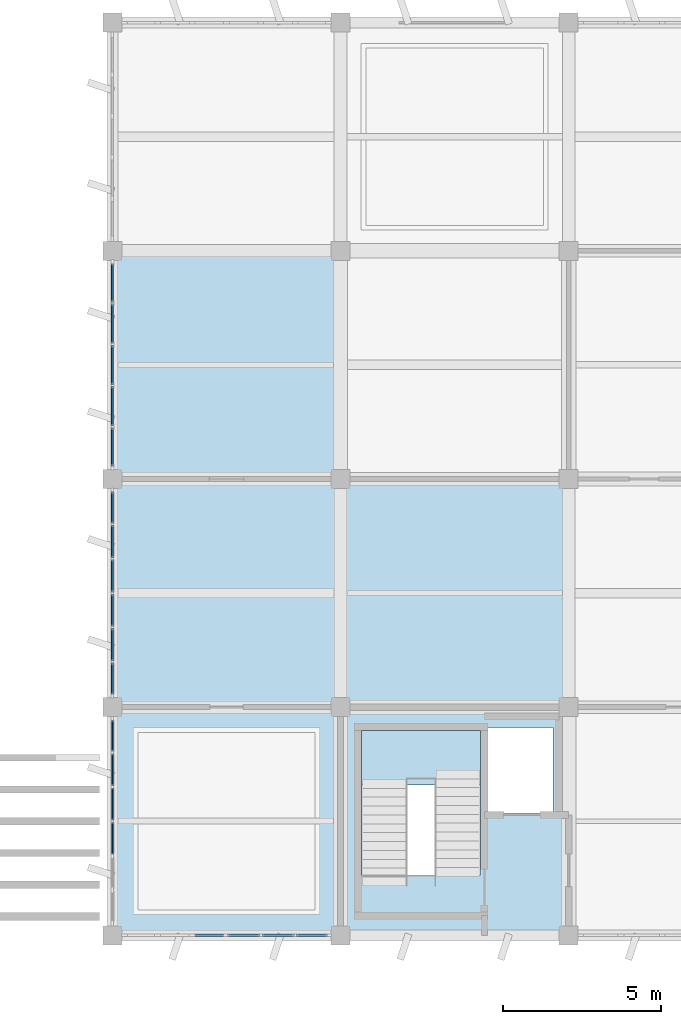
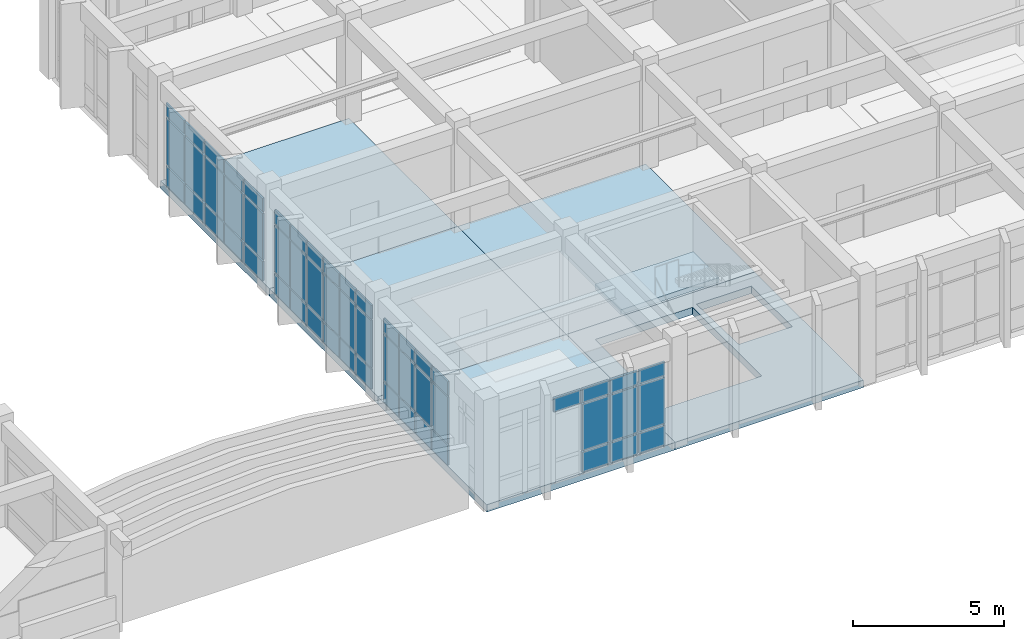
# One storey, part 42 of 81: 55 plates, 6 slabs, 5 elements without a shape of their own.
"""IFC4 building model written with IfcOpenShell, lengths in metres."""

from ifc_helpers import new_model, si_unit, direction, frame, origin, origin_2d, place, context, subcontext, project, spatial, polyline, rectangle, outline, extrude, material, layer, layer_set, type_object, element, aggregate, save


model = new_model("IFC4")

# Units and contexts
model_context = context("Model", 3, precision=1e-05, world=origin(), true_north=direction((0.0, 1.0)))
body_context = subcontext(model_context, "Body", "Model", "MODEL_VIEW")
ifc_project = project(units=[si_unit("LENGTHUNIT", "METRE"), si_unit("AREAUNIT", "SQUARE_METRE"), si_unit("VOLUMEUNIT", "CUBIC_METRE"), si_unit("PLANEANGLEUNIT", "RADIAN"), si_unit("MASSUNIT", "GRAM", prefix="KILO")], contexts=[model_context])

# Site, building, storey
site_placement = place(None, origin())
site = spatial("IfcSite", under=ifc_project, at=site_placement, CompositionType="ELEMENT")
building_placement = place(site_placement, origin())
building = spatial("IfcBuilding", under=site, at=building_placement, Name="Kavelor Marine Aquarium", CompositionType="ELEMENT")
storey_placement = place(building_placement, frame((0.0, 0.0, 4.679931640625)))
storey = spatial("IfcBuildingStorey", under=building, at=storey_placement, Name="L01", CompositionType="ELEMENT", Elevation=4.679931640625)

# Curtain wall, plates
ifc_material_1 = material(Name="Thermally Broken Aluminium and Low-E Glass", Category="aluminium")
ifc_layer_1 = layer(ifc_material_1, 0.172119140625)
ifc_layer_set_1 = layer_set([ifc_layer_1], Name="CW-SYS4")
curtain_wall_type_1 = type_object("IfcCurtainWallType", Name="CW-SYS4", PredefinedType="USERDEFINED", material=ifc_layer_set_1)
curtain_wall_1_placement = place(storey_placement, origin())
curtain_wall_1 = element("IfcCurtainWall", 1, at=curtain_wall_1_placement, inside=storey, type_object=curtain_wall_type_1, Name="cw:y:L01:16_00", ObjectType="Curtain Wall", PredefinedType="USERDEFINED")
ifc_material_2 = material(Name="Solar-Control Double Low-E Glazing", Category="glass")
ifc_layer_2 = layer(ifc_material_2, 0.055908203125)
ifc_layer_set_2 = layer_set([ifc_layer_2], Name="CWP-16")
plate_type_1 = type_object("IfcPlateType", Name="CWP-16", PredefinedType="CURTAIN_PANEL", material=ifc_layer_set_2)
plate_1_placement = place(storey_placement, frame((118.39990234375, 9.09375, 0.06005859375), z_axis=(0.0, 0.0, 1.0), x_axis=(0.0, -1.0, 0.0)))
plate_1 = element("IfcPlate", 2, at=plate_1_placement, type_object=plate_type_1, Name="CW04 panel 1.1", PredefinedType="CURTAIN_PANEL", context=body_context, shape_type="SweptSolid", body=[
    extrude(rectangle(XDim=0.972412109375, YDim=0.055908203125, at=origin_2d()), origin(), (0.0, 0.0, 1.0), 0.81005859375),
])
plate_2_placement = place(storey_placement, frame((118.39990234375, 9.09375, 0.93017578125), z_axis=(0.0, 0.0, 1.0), x_axis=(0.0, -1.0, 0.0)))
plate_2 = element("IfcPlate", 3, at=plate_2_placement, type_object=plate_type_1, Name="CW04 panel 1.2", PredefinedType="CURTAIN_PANEL", context=body_context, shape_type="SweptSolid", body=[
    extrude(rectangle(XDim=0.972412109375, YDim=0.055908203125, at=origin_2d()), origin(), (0.0, 0.0, 1.0), 1.8798828125),
])
plate_3_placement = place(storey_placement, frame((118.39990234375, 9.09375, 2.8701171875), z_axis=(0.0, 0.0, 1.0), x_axis=(0.0, -1.0, 0.0)))
plate_3 = element("IfcPlate", 4, at=plate_3_placement, type_object=plate_type_1, Name="CW04 panel 1.3", PredefinedType="CURTAIN_PANEL", context=body_context, shape_type="SweptSolid", body=[
    extrude(rectangle(XDim=0.972412109375, YDim=0.055908203125, at=origin_2d()), origin(), (0.0, 0.0, 1.0), 0.56005859375),
])
plate_4_placement = place(storey_placement, frame((118.39990234375, 8.027587890625, 0.06005859375), z_axis=(0.0, 0.0, 1.0), x_axis=(0.0, -1.0, 0.0)))
plate_4 = element("IfcPlate", 5, at=plate_4_placement, type_object=plate_type_1, Name="CW04 panel 2.1", PredefinedType="CURTAIN_PANEL", context=body_context, shape_type="SweptSolid", body=[
    extrude(rectangle(XDim=1.010009765625, YDim=0.055908203125, at=origin_2d()), origin(), (0.0, 0.0, 1.0), 0.81005859375),
])
plate_5_placement = place(storey_placement, frame((118.39990234375, 8.027587890625, 0.93017578125), z_axis=(0.0, 0.0, 1.0), x_axis=(0.0, -1.0, 0.0)))
plate_5 = element("IfcPlate", 6, at=plate_5_placement, type_object=plate_type_1, Name="CW04 panel 2.2", PredefinedType="CURTAIN_PANEL", context=body_context, shape_type="SweptSolid", body=[
    extrude(rectangle(XDim=1.010009765625, YDim=0.055908203125, at=origin_2d()), origin(), (0.0, 0.0, 1.0), 1.8798828125),
])
plate_6_placement = place(storey_placement, frame((118.39990234375, 8.027587890625, 2.8701171875), z_axis=(0.0, 0.0, 1.0), x_axis=(0.0, -1.0, 0.0)))
plate_6 = element("IfcPlate", 7, at=plate_6_placement, type_object=plate_type_1, Name="CW04 panel 2.3", PredefinedType="CURTAIN_PANEL", context=body_context, shape_type="SweptSolid", body=[
    extrude(rectangle(XDim=1.010009765625, YDim=0.055908203125, at=origin_2d()), origin(), (0.0, 0.0, 1.0), 0.56005859375),
])
plate_7_placement = place(storey_placement, frame((118.39990234375, 6.9423828125, 0.06005859375), z_axis=(0.0, 0.0, 1.0), x_axis=(0.0, -1.0, 0.0)))
plate_7 = element("IfcPlate", 8, at=plate_7_placement, type_object=plate_type_1, Name="CW04 panel 3.1", PredefinedType="CURTAIN_PANEL", context=body_context, shape_type="SweptSolid", body=[
    extrude(rectangle(XDim=1.010009765625, YDim=0.055908203125, at=origin_2d()), origin(), (0.0, 0.0, 1.0), 0.81005859375),
])
plate_8_placement = place(storey_placement, frame((118.39990234375, 6.9423828125, 0.93017578125), z_axis=(0.0, 0.0, 1.0), x_axis=(0.0, -1.0, 0.0)))
plate_8 = element("IfcPlate", 9, at=plate_8_placement, type_object=plate_type_1, Name="CW04 panel 3.2", PredefinedType="CURTAIN_PANEL", context=body_context, shape_type="SweptSolid", body=[
    extrude(rectangle(XDim=1.010009765625, YDim=0.055908203125, at=origin_2d()), origin(), (0.0, 0.0, 1.0), 1.8798828125),
])
plate_9_placement = place(storey_placement, frame((118.39990234375, 6.9423828125, 2.8701171875), z_axis=(0.0, 0.0, 1.0), x_axis=(0.0, -1.0, 0.0)))
plate_9 = element("IfcPlate", 10, at=plate_9_placement, type_object=plate_type_1, Name="CW04 panel 3.3", PredefinedType="CURTAIN_PANEL", context=body_context, shape_type="SweptSolid", body=[
    extrude(rectangle(XDim=1.010009765625, YDim=0.055908203125, at=origin_2d()), origin(), (0.0, 0.0, 1.0), 0.56005859375),
])
plate_10_placement = place(storey_placement, frame((118.39990234375, 5.857421875, 0.06005859375), z_axis=(0.0, 0.0, 1.0), x_axis=(0.0, -1.0, 0.0)))
plate_10 = element("IfcPlate", 11, at=plate_10_placement, type_object=plate_type_1, Name="CW04 panel 4.1", PredefinedType="CURTAIN_PANEL", context=body_context, shape_type="SweptSolid", body=[
    extrude(rectangle(XDim=1.010009765625, YDim=0.055908203125, at=origin_2d()), origin(), (0.0, 0.0, 1.0), 0.81005859375),
])
plate_11_placement = place(storey_placement, frame((118.39990234375, 5.857421875, 0.93017578125), z_axis=(0.0, 0.0, 1.0), x_axis=(0.0, -1.0, 0.0)))
plate_11 = element("IfcPlate", 12, at=plate_11_placement, type_object=plate_type_1, Name="CW04 panel 4.2", PredefinedType="CURTAIN_PANEL", context=body_context, shape_type="SweptSolid", body=[
    extrude(rectangle(XDim=1.010009765625, YDim=0.055908203125, at=origin_2d()), origin(), (0.0, 0.0, 1.0), 1.8798828125),
])
plate_12_placement = place(storey_placement, frame((118.39990234375, 5.857421875, 2.8701171875), z_axis=(0.0, 0.0, 1.0), x_axis=(0.0, -1.0, 0.0)))
plate_12 = element("IfcPlate", 13, at=plate_12_placement, type_object=plate_type_1, Name="CW04 panel 4.3", PredefinedType="CURTAIN_PANEL", context=body_context, shape_type="SweptSolid", body=[
    extrude(rectangle(XDim=1.010009765625, YDim=0.055908203125, at=origin_2d()), origin(), (0.0, 0.0, 1.0), 0.56005859375),
])
aggregate(curtain_wall_1, [plate_1, plate_2, plate_3, plate_4, plate_5, plate_6, plate_7, plate_8, plate_9, plate_10, plate_11, plate_12])

ifc_material_3 = material(Name="Thermally Broken Aluminium and Low-E Glass", Category="aluminium")
ifc_layer_3 = layer(ifc_material_3, 0.179931640625)
ifc_layer_set_3 = layer_set([ifc_layer_3], Name="CW-SYS5")
curtain_wall_type_2 = type_object("IfcCurtainWallType", Name="CW-SYS5", PredefinedType="USERDEFINED", material=ifc_layer_set_3)
curtain_wall_2_placement = place(storey_placement, origin())
curtain_wall_2 = element("IfcCurtainWall", 14, at=curtain_wall_2_placement, inside=storey, type_object=curtain_wall_type_2, Name="cw:y:L01:16_01", ObjectType="Curtain Wall", PredefinedType="USERDEFINED")
ifc_material_4 = material(Name="Solar-Control Double Low-E Glazing", Category="glass")
ifc_layer_4 = layer(ifc_material_4, 0.05810546875)
ifc_layer_set_4 = layer_set([ifc_layer_4], Name="CWP-17")
plate_type_2 = type_object("IfcPlateType", Name="CWP-17", PredefinedType="CURTAIN_PANEL", material=ifc_layer_set_4)
plate_13_placement = place(storey_placement, frame((118.39990234375, 16.296142578125, 0.06005859375), z_axis=(0.0, 0.0, 1.0), x_axis=(0.0, -1.0, 0.0)))
plate_13 = element("IfcPlate", 15, at=plate_13_placement, type_object=plate_type_2, Name="CW05 panel 1.1", PredefinedType="CURTAIN_PANEL", context=body_context, shape_type="SweptSolid", body=[
    extrude(rectangle(XDim=0.987548828125, YDim=0.05810546875, at=origin_2d()), origin(), (0.0, 0.0, 1.0), 0.81005859375),
])
plate_14_placement = place(storey_placement, frame((118.39990234375, 16.296142578125, 0.93017578125), z_axis=(0.0, 0.0, 1.0), x_axis=(0.0, -1.0, 0.0)))
plate_14 = element("IfcPlate", 16, at=plate_14_placement, type_object=plate_type_2, Name="CW05 panel 1.2", PredefinedType="CURTAIN_PANEL", context=body_context, shape_type="SweptSolid", body=[
    extrude(rectangle(XDim=0.987548828125, YDim=0.05810546875, at=origin_2d()), origin(), (0.0, 0.0, 1.0), 1.89990234375),
])
plate_15_placement = place(storey_placement, frame((118.39990234375, 16.296142578125, 2.89013671875), z_axis=(0.0, 0.0, 1.0), x_axis=(0.0, -1.0, 0.0)))
plate_15 = element("IfcPlate", 17, at=plate_15_placement, type_object=plate_type_2, Name="CW05 panel 1.3", PredefinedType="CURTAIN_PANEL", context=body_context, shape_type="SweptSolid", body=[
    extrude(rectangle(XDim=0.987548828125, YDim=0.05810546875, at=origin_2d()), origin(), (0.0, 0.0, 1.0), 0.56005859375),
])
plate_16_placement = place(storey_placement, frame((118.39990234375, 15.2275390625, 0.06005859375), z_axis=(0.0, 0.0, 1.0), x_axis=(0.0, -1.0, 0.0)))
plate_16 = element("IfcPlate", 18, at=plate_16_placement, type_object=plate_type_2, Name="CW05 panel 2.1", PredefinedType="CURTAIN_PANEL", context=body_context, shape_type="SweptSolid", body=[
    extrude(rectangle(XDim=1.02001953125, YDim=0.05810546875, at=origin_2d()), origin(), (0.0, 0.0, 1.0), 0.81005859375),
])
plate_17_placement = place(storey_placement, frame((118.39990234375, 15.2275390625, 0.93017578125), z_axis=(0.0, 0.0, 1.0), x_axis=(0.0, -1.0, 0.0)))
plate_17 = element("IfcPlate", 19, at=plate_17_placement, type_object=plate_type_2, Name="CW05 panel 2.2", PredefinedType="CURTAIN_PANEL", context=body_context, shape_type="SweptSolid", body=[
    extrude(rectangle(XDim=1.02001953125, YDim=0.05810546875, at=origin_2d()), origin(), (0.0, 0.0, 1.0), 1.89990234375),
])
plate_18_placement = place(storey_placement, frame((118.39990234375, 15.2275390625, 2.89013671875), z_axis=(0.0, 0.0, 1.0), x_axis=(0.0, -1.0, 0.0)))
plate_18 = element("IfcPlate", 20, at=plate_18_placement, type_object=plate_type_2, Name="CW05 panel 2.3", PredefinedType="CURTAIN_PANEL", context=body_context, shape_type="SweptSolid", body=[
    extrude(rectangle(XDim=1.02001953125, YDim=0.05810546875, at=origin_2d()), origin(), (0.0, 0.0, 1.0), 0.56005859375),
])
plate_19_placement = place(storey_placement, frame((118.39990234375, 14.142578125, 0.06005859375), z_axis=(0.0, 0.0, 1.0), x_axis=(0.0, -1.0, 0.0)))
plate_19 = element("IfcPlate", 21, at=plate_19_placement, type_object=plate_type_2, Name="CW05 panel 3.1", PredefinedType="CURTAIN_PANEL", context=body_context, shape_type="SweptSolid", body=[
    extrude(rectangle(XDim=1.02001953125, YDim=0.05810546875, at=origin_2d()), origin(), (0.0, 0.0, 1.0), 0.81005859375),
])
plate_20_placement = place(storey_placement, frame((118.39990234375, 14.142578125, 0.93017578125), z_axis=(0.0, 0.0, 1.0), x_axis=(0.0, -1.0, 0.0)))
plate_20 = element("IfcPlate", 22, at=plate_20_placement, type_object=plate_type_2, Name="CW05 panel 3.2", PredefinedType="CURTAIN_PANEL", context=body_context, shape_type="SweptSolid", body=[
    extrude(rectangle(XDim=1.02001953125, YDim=0.05810546875, at=origin_2d()), origin(), (0.0, 0.0, 1.0), 1.89990234375),
])
plate_21_placement = place(storey_placement, frame((118.39990234375, 14.142578125, 2.89013671875), z_axis=(0.0, 0.0, 1.0), x_axis=(0.0, -1.0, 0.0)))
plate_21 = element("IfcPlate", 23, at=plate_21_placement, type_object=plate_type_2, Name="CW05 panel 3.3", PredefinedType="CURTAIN_PANEL", context=body_context, shape_type="SweptSolid", body=[
    extrude(rectangle(XDim=1.02001953125, YDim=0.05810546875, at=origin_2d()), origin(), (0.0, 0.0, 1.0), 0.56005859375),
])
plate_22_placement = place(storey_placement, frame((118.39990234375, 13.0576171875, 0.06005859375), z_axis=(0.0, 0.0, 1.0), x_axis=(0.0, -1.0, 0.0)))
plate_22 = element("IfcPlate", 24, at=plate_22_placement, type_object=plate_type_2, Name="CW05 panel 4.1", PredefinedType="CURTAIN_PANEL", context=body_context, shape_type="SweptSolid", body=[
    extrude(rectangle(XDim=1.02001953125, YDim=0.05810546875, at=origin_2d()), origin(), (0.0, 0.0, 1.0), 0.81005859375),
])
plate_23_placement = place(storey_placement, frame((118.39990234375, 13.0576171875, 0.93017578125), z_axis=(0.0, 0.0, 1.0), x_axis=(0.0, -1.0, 0.0)))
plate_23 = element("IfcPlate", 25, at=plate_23_placement, type_object=plate_type_2, Name="CW05 panel 4.2", PredefinedType="CURTAIN_PANEL", context=body_context, shape_type="SweptSolid", body=[
    extrude(rectangle(XDim=1.02001953125, YDim=0.05810546875, at=origin_2d()), origin(), (0.0, 0.0, 1.0), 1.89990234375),
])
plate_24_placement = place(storey_placement, frame((118.39990234375, 13.0576171875, 2.89013671875), z_axis=(0.0, 0.0, 1.0), x_axis=(0.0, -1.0, 0.0)))
plate_24 = element("IfcPlate", 26, at=plate_24_placement, type_object=plate_type_2, Name="CW05 panel 4.3", PredefinedType="CURTAIN_PANEL", context=body_context, shape_type="SweptSolid", body=[
    extrude(rectangle(XDim=1.02001953125, YDim=0.05810546875, at=origin_2d()), origin(), (0.0, 0.0, 1.0), 0.56005859375),
])
plate_25_placement = place(storey_placement, frame((118.39990234375, 11.972412109375, 0.06005859375), z_axis=(0.0, 0.0, 1.0), x_axis=(0.0, -1.0, 0.0)))
plate_25 = element("IfcPlate", 27, at=plate_25_placement, type_object=plate_type_2, Name="CW05 panel 5.1", PredefinedType="CURTAIN_PANEL", context=body_context, shape_type="SweptSolid", body=[
    extrude(rectangle(XDim=1.02001953125, YDim=0.05810546875, at=origin_2d()), origin(), (0.0, 0.0, 1.0), 0.81005859375),
])
plate_26_placement = place(storey_placement, frame((118.39990234375, 11.972412109375, 0.93017578125), z_axis=(0.0, 0.0, 1.0), x_axis=(0.0, -1.0, 0.0)))
plate_26 = element("IfcPlate", 28, at=plate_26_placement, type_object=plate_type_2, Name="CW05 panel 5.2", PredefinedType="CURTAIN_PANEL", context=body_context, shape_type="SweptSolid", body=[
    extrude(rectangle(XDim=1.02001953125, YDim=0.05810546875, at=origin_2d()), origin(), (0.0, 0.0, 1.0), 1.89990234375),
])
plate_27_placement = place(storey_placement, frame((118.39990234375, 11.972412109375, 2.89013671875), z_axis=(0.0, 0.0, 1.0), x_axis=(0.0, -1.0, 0.0)))
plate_27 = element("IfcPlate", 29, at=plate_27_placement, type_object=plate_type_2, Name="CW05 panel 5.3", PredefinedType="CURTAIN_PANEL", context=body_context, shape_type="SweptSolid", body=[
    extrude(rectangle(XDim=1.02001953125, YDim=0.05810546875, at=origin_2d()), origin(), (0.0, 0.0, 1.0), 0.56005859375),
])
plate_28_placement = place(storey_placement, frame((118.39990234375, 10.90380859375, 0.06005859375), z_axis=(0.0, 0.0, 1.0), x_axis=(0.0, -1.0, 0.0)))
plate_28 = element("IfcPlate", 30, at=plate_28_placement, type_object=plate_type_2, Name="CW05 panel 6.1", PredefinedType="CURTAIN_PANEL", context=body_context, shape_type="SweptSolid", body=[
    extrude(rectangle(XDim=0.987548828125, YDim=0.05810546875, at=origin_2d()), origin(), (0.0, 0.0, 1.0), 0.81005859375),
])
plate_29_placement = place(storey_placement, frame((118.39990234375, 10.90380859375, 0.93017578125), z_axis=(0.0, 0.0, 1.0), x_axis=(0.0, -1.0, 0.0)))
plate_29 = element("IfcPlate", 31, at=plate_29_placement, type_object=plate_type_2, Name="CW05 panel 6.2", PredefinedType="CURTAIN_PANEL", context=body_context, shape_type="SweptSolid", body=[
    extrude(rectangle(XDim=0.987548828125, YDim=0.05810546875, at=origin_2d()), origin(), (0.0, 0.0, 1.0), 1.89990234375),
])
plate_30_placement = place(storey_placement, frame((118.39990234375, 10.90380859375, 2.89013671875), z_axis=(0.0, 0.0, 1.0), x_axis=(0.0, -1.0, 0.0)))
plate_30 = element("IfcPlate", 32, at=plate_30_placement, type_object=plate_type_2, Name="CW05 panel 6.3", PredefinedType="CURTAIN_PANEL", context=body_context, shape_type="SweptSolid", body=[
    extrude(rectangle(XDim=0.987548828125, YDim=0.05810546875, at=origin_2d()), origin(), (0.0, 0.0, 1.0), 0.56005859375),
])
aggregate(curtain_wall_2, [plate_13, plate_14, plate_15, plate_16, plate_17, plate_18, plate_19, plate_20, plate_21, plate_22, plate_23, plate_24, plate_25, plate_26, plate_27, plate_28, plate_29, plate_30])

ifc_material_5 = material(Name="Thermally Broken Aluminium and Low-E Glass", Category="aluminium")
ifc_layer_5 = layer(ifc_material_5, 0.18798828125)
ifc_layer_set_5 = layer_set([ifc_layer_5], Name="CW-SYS6")
curtain_wall_type_3 = type_object("IfcCurtainWallType", Name="CW-SYS6", PredefinedType="USERDEFINED", material=ifc_layer_set_5)
curtain_wall_3_placement = place(storey_placement, origin())
curtain_wall_3 = element("IfcCurtainWall", 33, at=curtain_wall_3_placement, inside=storey, type_object=curtain_wall_type_3, Name="cw:y:L01:16_02", ObjectType="Curtain Wall", PredefinedType="USERDEFINED")
ifc_material_6 = material(Name="Solar-Control Double Low-E Glazing", Category="glass")
ifc_layer_6 = layer(ifc_material_6, 0.06005859375)
ifc_layer_set_6 = layer_set([ifc_layer_6], Name="CWP-18")
plate_type_3 = type_object("IfcPlateType", Name="CWP-18", PredefinedType="CURTAIN_PANEL", material=ifc_layer_set_6)
plate_31_placement = place(storey_placement, frame((118.39990234375, 23.388916015625, 0.074951171875), z_axis=(0.0, 0.0, 1.0), x_axis=(0.0, -1.0, 0.0)))
plate_31 = element("IfcPlate", 34, at=plate_31_placement, type_object=plate_type_3, Name="CW06 panel 1.1", PredefinedType="CURTAIN_PANEL", context=body_context, shape_type="SweptSolid", body=[
    extrude(rectangle(XDim=1.2119140625, YDim=0.06005859375, at=origin_2d()), origin(), (0.0, 0.0, 1.0), 0.78759765625),
])
plate_32_placement = place(storey_placement, frame((118.39990234375, 23.388916015625, 0.9375), z_axis=(0.0, 0.0, 1.0), x_axis=(0.0, -1.0, 0.0)))
plate_32 = element("IfcPlate", 35, at=plate_32_placement, type_object=plate_type_3, Name="CW06 panel 1.2", PredefinedType="CURTAIN_PANEL", context=body_context, shape_type="SweptSolid", body=[
    extrude(rectangle(XDim=1.2119140625, YDim=0.06005859375, at=origin_2d()), origin(), (0.0, 0.0, 1.0), 1.864990234375),
])
plate_33_placement = place(storey_placement, frame((118.39990234375, 23.388916015625, 2.87744140625), z_axis=(0.0, 0.0, 1.0), x_axis=(0.0, -1.0, 0.0)))
plate_33 = element("IfcPlate", 36, at=plate_33_placement, type_object=plate_type_3, Name="CW06 panel 1.3", PredefinedType="CURTAIN_PANEL", context=body_context, shape_type="SweptSolid", body=[
    extrude(rectangle(XDim=1.2119140625, YDim=0.06005859375, at=origin_2d()), origin(), (0.0, 0.0, 1.0), 0.53759765625),
])
plate_34_placement = place(storey_placement, frame((118.39990234375, 22.10205078125, 0.074951171875), z_axis=(0.0, 0.0, 1.0), x_axis=(0.0, -1.0, 0.0)))
plate_34 = element("IfcPlate", 37, at=plate_34_placement, type_object=plate_type_3, Name="CW06 panel 2.1", PredefinedType="CURTAIN_PANEL", context=body_context, shape_type="SweptSolid", body=[
    extrude(rectangle(XDim=1.241943359375, YDim=0.06005859375, at=origin_2d()), origin(), (0.0, 0.0, 1.0), 0.78759765625),
])
plate_35_placement = place(storey_placement, frame((118.39990234375, 22.10205078125, 0.9375), z_axis=(0.0, 0.0, 1.0), x_axis=(0.0, -1.0, 0.0)))
plate_35 = element("IfcPlate", 38, at=plate_35_placement, type_object=plate_type_3, Name="CW06 panel 2.2", PredefinedType="CURTAIN_PANEL", context=body_context, shape_type="SweptSolid", body=[
    extrude(rectangle(XDim=1.241943359375, YDim=0.06005859375, at=origin_2d()), origin(), (0.0, 0.0, 1.0), 1.864990234375),
])
plate_36_placement = place(storey_placement, frame((118.39990234375, 22.10205078125, 2.87744140625), z_axis=(0.0, 0.0, 1.0), x_axis=(0.0, -1.0, 0.0)))
plate_36 = element("IfcPlate", 39, at=plate_36_placement, type_object=plate_type_3, Name="CW06 panel 2.3", PredefinedType="CURTAIN_PANEL", context=body_context, shape_type="SweptSolid", body=[
    extrude(rectangle(XDim=1.241943359375, YDim=0.06005859375, at=origin_2d()), origin(), (0.0, 0.0, 1.0), 0.53759765625),
])
plate_37_placement = place(storey_placement, frame((118.39990234375, 20.800048828125, 0.074951171875), z_axis=(0.0, 0.0, 1.0), x_axis=(0.0, -1.0, 0.0)))
plate_37 = element("IfcPlate", 40, at=plate_37_placement, type_object=plate_type_3, Name="CW06 panel 3.1", PredefinedType="CURTAIN_PANEL", context=body_context, shape_type="SweptSolid", body=[
    extrude(rectangle(XDim=1.241943359375, YDim=0.06005859375, at=origin_2d()), origin(), (0.0, 0.0, 1.0), 0.78759765625),
])
plate_38_placement = place(storey_placement, frame((118.39990234375, 20.800048828125, 0.9375), z_axis=(0.0, 0.0, 1.0), x_axis=(0.0, -1.0, 0.0)))
plate_38 = element("IfcPlate", 41, at=plate_38_placement, type_object=plate_type_3, Name="CW06 panel 3.2", PredefinedType="CURTAIN_PANEL", context=body_context, shape_type="SweptSolid", body=[
    extrude(rectangle(XDim=1.241943359375, YDim=0.06005859375, at=origin_2d()), origin(), (0.0, 0.0, 1.0), 1.864990234375),
])
plate_39_placement = place(storey_placement, frame((118.39990234375, 20.800048828125, 2.87744140625), z_axis=(0.0, 0.0, 1.0), x_axis=(0.0, -1.0, 0.0)))
plate_39 = element("IfcPlate", 42, at=plate_39_placement, type_object=plate_type_3, Name="CW06 panel 3.3", PredefinedType="CURTAIN_PANEL", context=body_context, shape_type="SweptSolid", body=[
    extrude(rectangle(XDim=1.241943359375, YDim=0.06005859375, at=origin_2d()), origin(), (0.0, 0.0, 1.0), 0.53759765625),
])
plate_40_placement = place(storey_placement, frame((118.39990234375, 19.498046875, 0.074951171875), z_axis=(0.0, 0.0, 1.0), x_axis=(0.0, -1.0, 0.0)))
plate_40 = element("IfcPlate", 43, at=plate_40_placement, type_object=plate_type_3, Name="CW06 panel 4.1", PredefinedType="CURTAIN_PANEL", context=body_context, shape_type="SweptSolid", body=[
    extrude(rectangle(XDim=1.241943359375, YDim=0.06005859375, at=origin_2d()), origin(), (0.0, 0.0, 1.0), 0.78759765625),
])
plate_41_placement = place(storey_placement, frame((118.39990234375, 19.498046875, 0.9375), z_axis=(0.0, 0.0, 1.0), x_axis=(0.0, -1.0, 0.0)))
plate_41 = element("IfcPlate", 44, at=plate_41_placement, type_object=plate_type_3, Name="CW06 panel 4.2", PredefinedType="CURTAIN_PANEL", context=body_context, shape_type="SweptSolid", body=[
    extrude(rectangle(XDim=1.241943359375, YDim=0.06005859375, at=origin_2d()), origin(), (0.0, 0.0, 1.0), 1.864990234375),
])
plate_42_placement = place(storey_placement, frame((118.39990234375, 19.498046875, 2.87744140625), z_axis=(0.0, 0.0, 1.0), x_axis=(0.0, -1.0, 0.0)))
plate_42 = element("IfcPlate", 45, at=plate_42_placement, type_object=plate_type_3, Name="CW06 panel 4.3", PredefinedType="CURTAIN_PANEL", context=body_context, shape_type="SweptSolid", body=[
    extrude(rectangle(XDim=1.241943359375, YDim=0.06005859375, at=origin_2d()), origin(), (0.0, 0.0, 1.0), 0.53759765625),
])
plate_43_placement = place(storey_placement, frame((118.39990234375, 18.2109375, 0.074951171875), z_axis=(0.0, 0.0, 1.0), x_axis=(0.0, -1.0, 0.0)))
plate_43 = element("IfcPlate", 46, at=plate_43_placement, type_object=plate_type_3, Name="CW06 panel 5.1", PredefinedType="CURTAIN_PANEL", context=body_context, shape_type="SweptSolid", body=[
    extrude(rectangle(XDim=1.2119140625, YDim=0.06005859375, at=origin_2d()), origin(), (0.0, 0.0, 1.0), 0.78759765625),
])
plate_44_placement = place(storey_placement, frame((118.39990234375, 18.2109375, 0.9375), z_axis=(0.0, 0.0, 1.0), x_axis=(0.0, -1.0, 0.0)))
plate_44 = element("IfcPlate", 47, at=plate_44_placement, type_object=plate_type_3, Name="CW06 panel 5.2", PredefinedType="CURTAIN_PANEL", context=body_context, shape_type="SweptSolid", body=[
    extrude(rectangle(XDim=1.2119140625, YDim=0.06005859375, at=origin_2d()), origin(), (0.0, 0.0, 1.0), 1.864990234375),
])
plate_45_placement = place(storey_placement, frame((118.39990234375, 18.2109375, 2.87744140625), z_axis=(0.0, 0.0, 1.0), x_axis=(0.0, -1.0, 0.0)))
plate_45 = element("IfcPlate", 48, at=plate_45_placement, type_object=plate_type_3, Name="CW06 panel 5.3", PredefinedType="CURTAIN_PANEL", context=body_context, shape_type="SweptSolid", body=[
    extrude(rectangle(XDim=1.2119140625, YDim=0.06005859375, at=origin_2d()), origin(), (0.0, 0.0, 1.0), 0.53759765625),
])
aggregate(curtain_wall_3, [plate_31, plate_32, plate_33, plate_34, plate_35, plate_36, plate_37, plate_38, plate_39, plate_40, plate_41, plate_42, plate_43, plate_44, plate_45])

ifc_material_7 = material(Name="Thermally Broken Aluminium and Low-E Glass", Category="aluminium")
ifc_layer_7 = layer(ifc_material_7, 0.1640625)
ifc_layer_set_7 = layer_set([ifc_layer_7], Name="CW-SYS3")
curtain_wall_type_4 = type_object("IfcCurtainWallType", Name="CW-SYS3", PredefinedType="USERDEFINED", material=ifc_layer_set_7)
curtain_wall_4_placement = place(storey_placement, origin())
curtain_wall_4 = element("IfcCurtainWall", 49, at=curtain_wall_4_placement, inside=storey, type_object=curtain_wall_type_4, Name="cw:x:L01:16_00", ObjectType="Curtain Wall", PredefinedType="USERDEFINED")
ifc_material_8 = material(Name="Solar-Control Double Low-E Glazing", Category="glass")
ifc_layer_8 = layer(ifc_material_8, 0.077880859375)
ifc_layer_set_8 = layer_set([ifc_layer_8], Name="CWP-27")
plate_type_4 = type_object("IfcPlateType", Name="CWP-27", PredefinedType="CURTAIN_PANEL", material=ifc_layer_set_8)
plate_46_placement = place(storey_placement, frame((124.697509765625, 2.800048828125, 0.06494140625), z_axis=(0.0, 0.0, 1.0), x_axis=(-1.0, 0.0, 0.0)))
plate_46 = element("IfcPlate", 50, at=plate_46_placement, type_object=plate_type_4, Name="CW03 panel 1.1", PredefinedType="CURTAIN_PANEL", context=body_context, shape_type="SweptSolid", body=[
    extrude(rectangle(XDim=0.9951171875, YDim=0.077880859375, at=origin_2d()), origin(), (0.0, 0.0, 1.0), 0.802490234375),
])
plate_47_placement = place(storey_placement, frame((124.697509765625, 2.800048828125, 0.9326171875), z_axis=(0.0, 0.0, 1.0), x_axis=(-1.0, 0.0, 0.0)))
plate_47 = element("IfcPlate", 51, at=plate_47_placement, type_object=plate_type_4, Name="CW03 panel 1.2", PredefinedType="CURTAIN_PANEL", context=body_context, shape_type="SweptSolid", body=[
    extrude(rectangle(XDim=0.9951171875, YDim=0.077880859375, at=origin_2d()), origin(), (0.0, 0.0, 1.0), 1.875),
])
plate_48_placement = place(storey_placement, frame((124.697509765625, 2.800048828125, 2.87255859375), z_axis=(0.0, 0.0, 1.0), x_axis=(-1.0, 0.0, 0.0)))
plate_48 = element("IfcPlate", 52, at=plate_48_placement, type_object=plate_type_4, Name="CW03 panel 1.3", PredefinedType="CURTAIN_PANEL", context=body_context, shape_type="SweptSolid", body=[
    extrude(rectangle(XDim=0.9951171875, YDim=0.077880859375, at=origin_2d()), origin(), (0.0, 0.0, 1.0), 0.552490234375),
])
plate_49_placement = place(storey_placement, frame((123.62744140625, 2.800048828125, 0.06494140625), z_axis=(0.0, 0.0, 1.0), x_axis=(-1.0, 0.0, 0.0)))
plate_49 = element("IfcPlate", 53, at=plate_49_placement, type_object=plate_type_4, Name="CW03 panel 2.1", PredefinedType="CURTAIN_PANEL", context=body_context, shape_type="SweptSolid", body=[
    extrude(rectangle(XDim=1.02490234375, YDim=0.077880859375, at=origin_2d()), origin(), (0.0, 0.0, 1.0), 0.802490234375),
])
plate_50_placement = place(storey_placement, frame((123.62744140625, 2.800048828125, 0.9326171875), z_axis=(0.0, 0.0, 1.0), x_axis=(-1.0, 0.0, 0.0)))
plate_50 = element("IfcPlate", 54, at=plate_50_placement, type_object=plate_type_4, Name="CW03 panel 2.2", PredefinedType="CURTAIN_PANEL", context=body_context, shape_type="SweptSolid", body=[
    extrude(rectangle(XDim=1.02490234375, YDim=0.077880859375, at=origin_2d()), origin(), (0.0, 0.0, 1.0), 1.875),
])
plate_51_placement = place(storey_placement, frame((123.62744140625, 2.800048828125, 2.87255859375), z_axis=(0.0, 0.0, 1.0), x_axis=(-1.0, 0.0, 0.0)))
plate_51 = element("IfcPlate", 55, at=plate_51_placement, type_object=plate_type_4, Name="CW03 panel 2.3", PredefinedType="CURTAIN_PANEL", context=body_context, shape_type="SweptSolid", body=[
    extrude(rectangle(XDim=1.02490234375, YDim=0.077880859375, at=origin_2d()), origin(), (0.0, 0.0, 1.0), 0.552490234375),
])
plate_52_placement = place(storey_placement, frame((122.54248046875, 2.800048828125, 0.06494140625), z_axis=(0.0, 0.0, 1.0), x_axis=(-1.0, 0.0, 0.0)))
plate_52 = element("IfcPlate", 56, at=plate_52_placement, type_object=plate_type_4, Name="CW03 panel 3.1", PredefinedType="CURTAIN_PANEL", context=body_context, shape_type="SweptSolid", body=[
    extrude(rectangle(XDim=1.02490234375, YDim=0.077880859375, at=origin_2d()), origin(), (0.0, 0.0, 1.0), 0.802490234375),
])
plate_53_placement = place(storey_placement, frame((122.54248046875, 2.800048828125, 0.9326171875), z_axis=(0.0, 0.0, 1.0), x_axis=(-1.0, 0.0, 0.0)))
plate_53 = element("IfcPlate", 57, at=plate_53_placement, type_object=plate_type_4, Name="CW03 panel 3.2", PredefinedType="CURTAIN_PANEL", context=body_context, shape_type="SweptSolid", body=[
    extrude(rectangle(XDim=1.02490234375, YDim=0.077880859375, at=origin_2d()), origin(), (0.0, 0.0, 1.0), 1.875),
])
plate_54_placement = place(storey_placement, frame((122.54248046875, 2.800048828125, 2.87255859375), z_axis=(0.0, 0.0, 1.0), x_axis=(-1.0, 0.0, 0.0)))
plate_54 = element("IfcPlate", 58, at=plate_54_placement, type_object=plate_type_4, Name="CW03 panel 3.3", PredefinedType="CURTAIN_PANEL", context=body_context, shape_type="SweptSolid", body=[
    extrude(rectangle(XDim=1.02490234375, YDim=0.077880859375, at=origin_2d()), origin(), (0.0, 0.0, 1.0), 0.552490234375),
])
plate_55_placement = place(storey_placement, frame((121.45751953125, 2.800048828125, 2.87255859375), z_axis=(0.0, 0.0, 1.0), x_axis=(-1.0, 0.0, 0.0)))
plate_55 = element("IfcPlate", 59, at=plate_55_placement, type_object=plate_type_4, Name="CW03 panel 4.3", PredefinedType="CURTAIN_PANEL", context=body_context, shape_type="SweptSolid", body=[
    extrude(rectangle(XDim=1.02490234375, YDim=0.077880859375, at=origin_2d()), origin(), (0.0, 0.0, 1.0), 0.552490234375),
])
aggregate(curtain_wall_4, [plate_46, plate_47, plate_48, plate_49, plate_50, plate_51, plate_52, plate_53, plate_54, plate_55])

# Stair, slab
ifc_material_9 = material(Name="Concrete C40/50", Category="concrete")
stair_type = type_object("IfcStairType", Name="ST-T2", PredefinedType="HALF_TURN_STAIR", material=ifc_material_9)
stair_placement = place(storey_placement, origin())
stair = element("IfcStair", 60, at=stair_placement, inside=storey, type_object=stair_type, Name="Exit Stair ST08 (L01)", PredefinedType="HALF_TURN_STAIR")
ifc_material_10 = material(Name="Concrete C40/50", Category="concrete")
ifc_layer_9 = layer(ifc_material_10, 0.199951171875)
ifc_layer_set_9 = layer_set([ifc_layer_9], Name="LND-T2")
slab_type_1 = type_object("IfcSlabType", Name="LND-T2", PredefinedType="LANDING", material=ifc_layer_set_9)
slab_1_placement = place(storey_placement, frame((0.0, 0.0, 2.050048828125)))
slab_1 = element("IfcSlab", 61, at=slab_1_placement, type_object=slab_type_1, Name="ST08 landing 1", PredefinedType="LANDING", context=body_context, shape_type="SweptSolid", body=[
    extrude(outline(polyline([(126.260009765625, 7.5400390625), (130.02001953125, 7.5400390625), (130.02001953125, 9.260009765625), (126.260009765625, 9.260009765625), (126.260009765625, 7.5400390625)])), origin(), (0.0, 0.0, 1.0), 0.199951171875),
])
aggregate(stair, [slab_1])

# Slabs
ifc_material_11 = material(Name="Concrete C40/50", Category="concrete")
ifc_layer_10 = layer(ifc_material_11, 0.300048828125)
ifc_layer_set_10 = layer_set([ifc_layer_10], Name="SL-FL1")
slab_type_2 = type_object("IfcSlabType", Name="SL-FL1", PredefinedType="FLOOR", material=ifc_layer_set_10)
slab_2_placement = place(storey_placement, frame((0.0, 0.0, -0.300048828125)))
element("IfcSlab", 62, at=slab_2_placement, inside=storey, type_object=slab_type_2, Name="slab:L01:16_00", PredefinedType="FLOOR", context=body_context, shape_type="SweptSolid", body=[
    extrude(outline(polyline([(118.39990234375, 2.800048828125), (125.60009765625, 2.800048828125), (125.60009765625, 10.0), (118.39990234375, 10.0), (118.39990234375, 2.800048828125)])), origin(), (0.0, 0.0, 1.0), 0.300048828125),
])
slab_3_placement = place(storey_placement, frame((0.0, 0.0, -0.300048828125)))
element("IfcSlab", 63, at=slab_3_placement, inside=storey, type_object=slab_type_2, Name="slab:L01:16_01", PredefinedType="FLOOR", context=body_context, shape_type="SweptSolid", body=[
    extrude(outline(polyline([(118.39990234375, 10.0), (125.60009765625, 10.0), (125.60009765625, 17.199951171875), (118.39990234375, 17.199951171875), (118.39990234375, 10.0)])), origin(), (0.0, 0.0, 1.0), 0.300048828125),
])
slab_4_placement = place(storey_placement, frame((0.0, 0.0, -0.300048828125)))
element("IfcSlab", 64, at=slab_4_placement, inside=storey, type_object=slab_type_2, Name="slab:L01:16_02", PredefinedType="FLOOR", context=body_context, shape_type="SweptSolid", body=[
    extrude(outline(polyline([(118.39990234375, 17.199951171875), (125.60009765625, 17.199951171875), (125.60009765625, 24.39990234375), (118.39990234375, 24.39990234375), (118.39990234375, 17.199951171875)])), origin(), (0.0, 0.0, 1.0), 0.300048828125),
])
slab_5_placement = place(storey_placement, frame((0.0, 0.0, -0.300048828125)))
element("IfcSlab", 65, at=slab_5_placement, inside=storey, type_object=slab_type_2, Name="slab:L01:17_00", PredefinedType="FLOOR", context=body_context, shape_type="SweptSolid", body=[
    extrude(outline(polyline([(125.60009765625, 2.800048828125), (132.800048828125, 2.800048828125), (132.800048828125, 10.0), (125.60009765625, 10.0), (125.60009765625, 2.800048828125)]), holes=[polyline([(126.280029296875, 4.68310546875), (130.0, 4.68310546875), (130.0, 9.27001953125), (126.280029296875, 9.27001953125), (126.280029296875, 4.68310546875)]), polyline([(130.260009765625, 6.64990234375), (132.300048828125, 6.64990234375), (132.300048828125, 9.35009765625), (130.199951171875, 9.35009765625), (130.260009765625, 6.64990234375)])]), origin(), (0.0, 0.0, 1.0), 0.300048828125),
])
slab_6_placement = place(storey_placement, frame((0.0, 0.0, -0.300048828125)))
element("IfcSlab", 66, at=slab_6_placement, inside=storey, type_object=slab_type_2, Name="slab:L01:17_01", PredefinedType="FLOOR", context=body_context, shape_type="SweptSolid", body=[
    extrude(outline(polyline([(125.60009765625, 10.0), (132.800048828125, 10.0), (132.800048828125, 17.199951171875), (125.60009765625, 17.199951171875), (125.60009765625, 10.0)])), origin(), (0.0, 0.0, 1.0), 0.300048828125),
])

save(model, "model.ifc")
